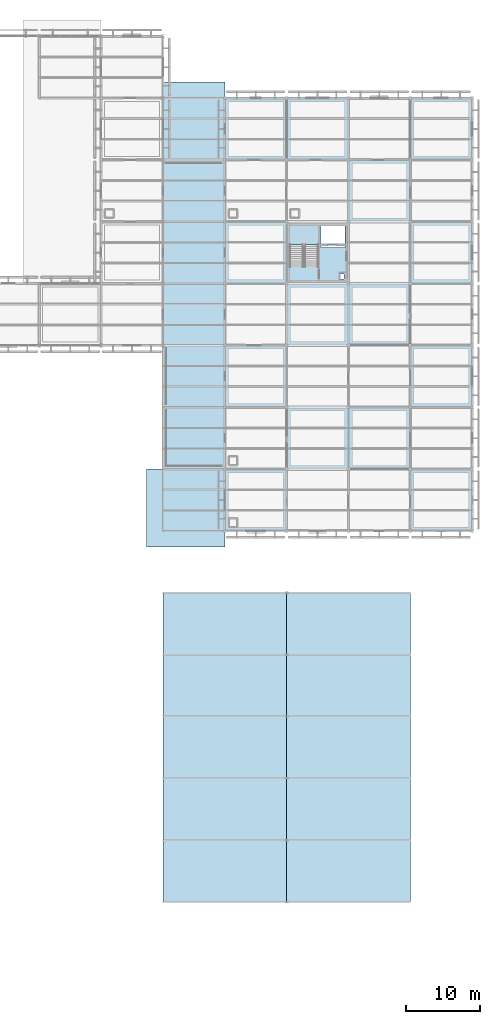
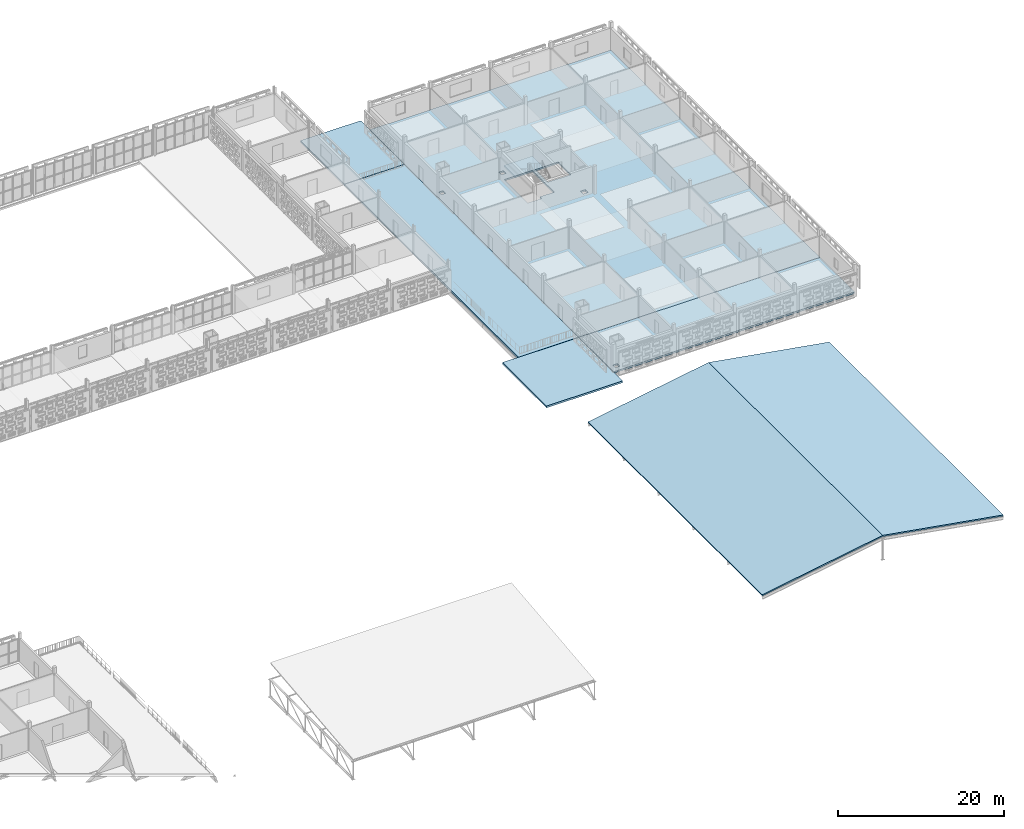
# One storey, part 80 of 140: 8 slabs, 1 element without a shape of its own.
"""IFC4 building model written with IfcOpenShell, lengths in metres."""

from ifc_helpers import new_model, si_unit, direction, frame, origin, place, context, subcontext, project, spatial, polyline, outline, extrude, material, layer, layer_set, type_object, element, aggregate, save


model = new_model("IFC4")

# Units and contexts
model_context = context("Model", 3, precision=1e-05, world=origin(), true_north=direction((0.0, 1.0)))
body_context = subcontext(model_context, "Body", "Model", "MODEL_VIEW")
ifc_project = project(units=[si_unit("LENGTHUNIT", "METRE"), si_unit("AREAUNIT", "SQUARE_METRE"), si_unit("VOLUMEUNIT", "CUBIC_METRE"), si_unit("PLANEANGLEUNIT", "RADIAN"), si_unit("MASSUNIT", "GRAM", prefix="KILO")], contexts=[model_context])

# Site, building, storey
site_placement = place(None, origin())
site = spatial("IfcSite", under=ifc_project, at=site_placement, CompositionType="ELEMENT")
building_placement = place(site_placement, origin())
building = spatial("IfcBuilding", under=site, at=building_placement, Name="Varnapada Polytechnic", CompositionType="ELEMENT")
storey_placement = place(building_placement, frame((0.0, 0.0, 13.800048828125)))
storey = spatial("IfcBuildingStorey", under=building, at=storey_placement, Name="L03", CompositionType="ELEMENT", Elevation=13.800048828125)

# Slabs
ifc_material_1 = material(Name="Concrete C40/50", Category="concrete")
ifc_layer_1 = layer(ifc_material_1, 0.195068359375)
ifc_layer_set_1 = layer_set([ifc_layer_1], Name="Concrete C40/50")
slab_type_1 = type_object("IfcSlabType", Name="Folded Postmodern refectory pavilion roof slab RS-06", PredefinedType="ROOF", material=ifc_layer_set_1)
for number, where, z_axis, x_axis, name in (
    (1, (134.39990234375, 8.39990234375, 0.669921875), (-0.168400004814, 0.0, 0.985718742025), (0.0, 1.0, 0.0), "Refectory pavilion west folded roof slab"),
    (2, (168.0, 50.39990234375, 0.669921875), (0.168400004814, 0.0, 0.985718742025), (0.0, -1.0, 0.0), "Refectory pavilion east folded roof slab"),
):
    element("IfcSlab", number, at=place(storey_placement, frame(where, z_axis=z_axis, x_axis=x_axis)), inside=storey, type_object=slab_type_1, Name=name, PredefinedType="ROOF", context=body_context, shape_type="SweptSolid", body=[
        extrude(outline(polyline([(0.0, 0.0), (42.0, 0.0), (42.0, -17.043450745003696), (0.0, -17.043450745003696), (0.0, 0.0)])), origin(), (0.0, 0.0, -1.0), 0.195068359375),
    ])
ifc_material_2 = material(Name="Cross-laminated timber CLT C24", Category="wood")
ifc_layer_2 = layer(ifc_material_2, 0.239990234375)
ifc_layer_set_2 = layer_set([ifc_layer_2], Name="Cross-laminated timber CLT C24")
slab_type_2 = type_object("IfcSlabType", Name="L02/L03 laboratory CLT composite slab SL-06", PredefinedType="FLOOR", material=ifc_layer_set_2)
slab_1_placement = place(storey_placement, frame((0.0, 0.0, -0.239990234375)))
element("IfcSlab", 3, at=slab_1_placement, inside=storey, type_object=slab_type_2, Name="L03 V5 slab 1.1", PredefinedType="FLOOR", context=body_context, shape_type="SweptSolid", body=[
    extrude(outline(polyline([(142.800048828125, 67.199951171875), (151.199951171875, 67.199951171875), (159.60009765625, 67.199951171875), (168.0, 67.199951171875), (176.39990234375, 67.199951171875), (176.39990234375, 58.800048828125), (168.0, 58.800048828125), (159.60009765625, 58.800048828125), (151.199951171875, 58.800048828125), (142.800048828125, 58.800048828125), (142.800048828125, 67.199951171875)]), holes=[polyline([(143.449951171875, 59.449951171875), (144.050048828125, 59.449951171875), (144.050048828125, 60.050048828125), (143.449951171875, 60.050048828125), (143.449951171875, 59.449951171875)])]), origin(), (0.0, 0.0, 1.0), 0.239990234375),
])
slab_2_placement = place(storey_placement, frame((0.0, 0.0, -0.239990234375)))
element("IfcSlab", 4, at=slab_2_placement, inside=storey, type_object=slab_type_2, Name="L03 V5 slab 2.1", PredefinedType="FLOOR", context=body_context, shape_type="SweptSolid", body=[
    extrude(outline(polyline([(142.800048828125, 92.39990234375), (142.800048828125, 100.800048828125), (142.800048828125, 109.199951171875), (142.800048828125, 117.60009765625), (151.199951171875, 117.60009765625), (159.60009765625, 117.60009765625), (168.0, 117.60009765625), (176.39990234375, 117.60009765625), (176.39990234375, 109.199951171875), (176.39990234375, 100.800048828125), (176.39990234375, 92.39990234375), (176.39990234375, 84.0), (176.39990234375, 75.60009765625), (176.39990234375, 67.199951171875), (168.0, 67.199951171875), (159.60009765625, 67.199951171875), (151.199951171875, 67.199951171875), (142.800048828125, 67.199951171875), (142.800048828125, 75.60009765625), (142.800048828125, 84.0), (142.800048828125, 92.39990234375)]), holes=[polyline([(151.60009765625, 94.7099609375), (153.550048828125, 94.7099609375), (153.550048828125, 95.110107421875), (155.5, 95.110107421875), (155.5, 100.39990234375), (151.60009765625, 100.39990234375), (151.60009765625, 94.7099609375)]), polyline([(155.89990234375, 97.300048828125), (159.10009765625, 97.300048828125), (159.10009765625, 100.35009765625), (155.89990234375, 100.35009765625), (155.89990234375, 97.300048828125)]), polyline([(158.35009765625, 93.02001953125), (159.0, 93.02001953125), (159.0, 93.669921875), (158.35009765625, 93.669921875), (158.35009765625, 93.02001953125)]), polyline([(143.449951171875, 101.449951171875), (144.050048828125, 101.449951171875), (144.050048828125, 102.050048828125), (143.449951171875, 102.050048828125), (143.449951171875, 101.449951171875)]), polyline([(151.85009765625, 101.449951171875), (152.449951171875, 101.449951171875), (152.449951171875, 102.050048828125), (151.85009765625, 102.050048828125), (151.85009765625, 101.449951171875)])]), origin(), (0.0, 0.0, 1.0), 0.239990234375),
])
ifc_layer_3 = layer(ifc_material_1, 0.260009765625)
ifc_layer_set_3 = layer_set([ifc_layer_3], Name="Concrete C40/50")
slab_type_3 = type_object("IfcSlabType", Name="L03 planted refectory roof garden slab SL-09", PredefinedType="FLOOR", material=ifc_layer_set_3)
slab_3_placement = place(storey_placement, frame((0.0, 0.0, -0.260009765625)))
element("IfcSlab", 5, at=slab_3_placement, inside=storey, type_object=slab_type_3, Name="L03 V5_WEST_TERRACE slab 1.1", PredefinedType="FLOOR", context=body_context, shape_type="SweptSolid", body=[
    extrude(outline(polyline([(134.39990234375, 67.199951171875), (134.39990234375, 75.60009765625), (134.39990234375, 84.0), (134.39990234375, 92.39990234375), (134.39990234375, 100.800048828125), (134.39990234375, 109.199951171875), (142.800048828125, 109.199951171875), (142.800048828125, 100.800048828125), (142.800048828125, 92.39990234375), (142.800048828125, 84.0), (142.800048828125, 75.60009765625), (142.800048828125, 67.199951171875), (134.39990234375, 67.199951171875)])), origin(), (0.0, 0.0, 1.0), 0.260009765625),
])
ifc_layer_4 = layer(ifc_material_1, 0.27001953125)
ifc_layer_set_4 = layer_set([ifc_layer_4], Name="Concrete C40/50")
slab_type_4 = type_object("IfcSlabType", Name="Overhanging tropical eave roof slab RS-07", PredefinedType="ROOF", material=ifc_layer_set_4)
slab_4_placement = place(storey_placement, frame((0.0, 0.0, -0.27001953125)))
element("IfcSlab", 6, at=slab_4_placement, inside=storey, type_object=slab_type_4, Name="L03 overhanging eave roof slab 2", PredefinedType="ROOF", context=body_context, shape_type="SweptSolid", body=[
    extrude(outline(polyline([(142.800048828125, 56.60009765625), (132.199951171875, 56.60009765625), (132.199951171875, 67.199951171875), (134.3798828125, 67.199951171875), (134.39990234375, 67.179931640625), (142.780029296875, 67.179931640625), (142.780029296875, 58.800048828125), (142.800048828125, 58.780029296875), (142.800048828125, 56.60009765625)])), origin(), (0.0, 0.0, 1.0), 0.27001953125),
])
slab_5_placement = place(storey_placement, frame((0.0, 0.0, -0.27001953125)))
element("IfcSlab", 7, at=slab_5_placement, inside=storey, type_object=slab_type_4, Name="L03 overhanging eave roof slab 4", PredefinedType="ROOF", context=body_context, shape_type="SweptSolid", body=[
    extrude(outline(polyline([(142.800048828125, 119.800048828125), (142.800048828125, 117.6201171875), (142.780029296875, 117.60009765625), (142.780029296875, 109.219970703125), (134.419921875, 109.219970703125), (134.419921875, 119.800048828125), (142.800048828125, 119.800048828125)])), origin(), (0.0, 0.0, 1.0), 0.27001953125),
])

# Stair, slab
stair_type = type_object("IfcStairType", Name="Core Exit Stair ST-B", PredefinedType="HALF_TURN_STAIR", material=ifc_material_1)
stair_placement = place(storey_placement, origin())
stair = element("IfcStair", 8, at=stair_placement, inside=storey, type_object=stair_type, Name="L03 Core C5 Exit Stair", PredefinedType="HALF_TURN_STAIR")
ifc_layer_5 = layer(ifc_material_1, 0.219970703125)
ifc_layer_set_5 = layer_set([ifc_layer_5], Name="Concrete C40/50")
slab_type_5 = type_object("IfcSlabType", Name="Stair Half Landing SLD-02", PredefinedType="LANDING", material=ifc_layer_set_5)
slab_6_placement = place(storey_placement, frame((0.0, 0.0, 1.8798828125)))
slab_6 = element("IfcSlab", 9, at=slab_6_placement, type_object=slab_type_5, Name="ST-5 landing 1", PredefinedType="LANDING", context=body_context, shape_type="SweptSolid", body=[
    extrude(outline(polyline([(155.5, 97.72998046875), (155.5, 100.39990234375), (151.60009765625, 100.39990234375), (151.60009765625, 97.72998046875), (155.5, 97.72998046875)])), origin(), (0.0, 0.0, 1.0), 0.219970703125),
])
aggregate(stair, [slab_6])

save(model, "model.ifc")
